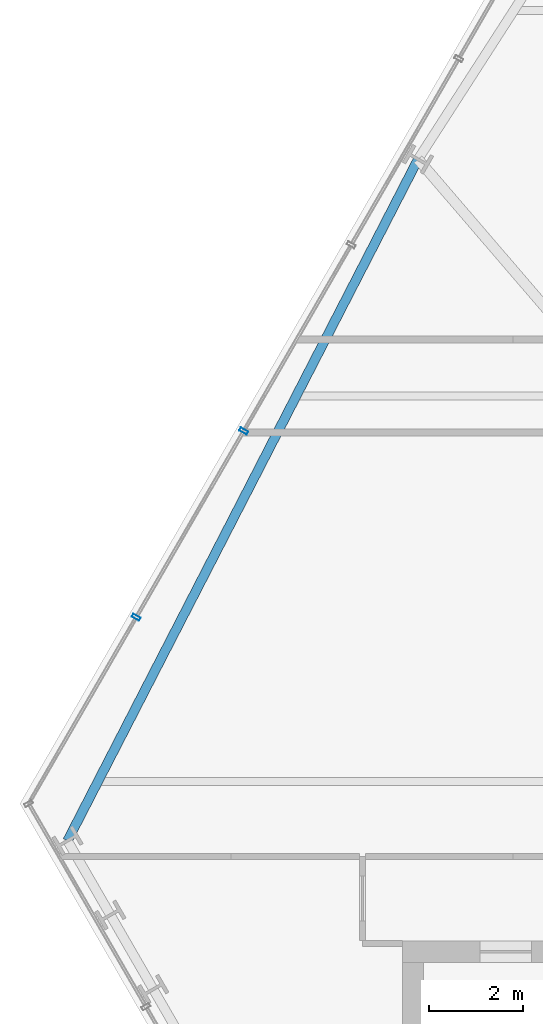
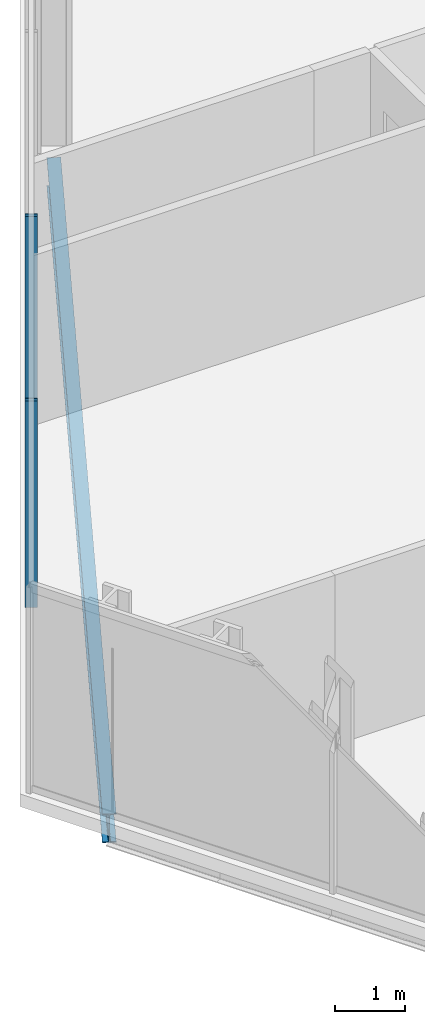
# One storey, part 11 of 32: 2 members, 1 beam, 1 element without a shape of its own.
"""IFC4 building model written with IfcOpenShell, lengths in metres."""

import ifcopenshell
import ifcopenshell.guid

model = None  # the IFC model being written
_history = None  # IfcOwnerHistory: only IFC2X3 demands one
_inside = {}  # id of a spatial element -> (the spatial element, [elements in it])
_under = {}  # id of a project, library or spatial element -> (it, [spatial elements below it])
_declared = {}  # id of a project -> (the project, [libraries it declares])
_typed = {}  # id of a type object -> (the type object, [elements of that type])
_made_of = {}  # id of a material, layer set ... -> (it, [elements and type objects made of it])


def new_model(schema):
    """Start an empty IFC model of exactly this schema.

    Asked for "IFC4X3", IfcOpenShell would pick the latest addendum, in which some entities
    have other attributes; the version numbers below select the first issue.
    IFC2X3 requires an IfcOwnerHistory on every rooted entity: one is made here for all.
    """
    global model, _history
    if schema == "IFC4X3":
        model = ifcopenshell.file(schema_version=(4, 3, 0, 0))
    else:
        model = ifcopenshell.file(schema=schema)
    _inside.clear()
    _under.clear()
    _declared.clear()
    _typed.clear()
    _made_of.clear()
    _history = None
    if model.schema == "IFC2X3":
        org = make("IfcOrganization", Name="unknown")
        user = make(
            "IfcPersonAndOrganization",
            ThePerson=make("IfcPerson", FamilyName="unknown"),
            TheOrganization=org,
        )
        app = make(
            "IfcApplication",
            ApplicationDeveloper=org,
            Version="unknown",
            ApplicationFullName="unknown",
            ApplicationIdentifier="unknown",
        )
        _history = make(
            "IfcOwnerHistory",
            OwningUser=user,
            OwningApplication=app,
            ChangeAction="ADDED",
            CreationDate=0,
        )
    return model


def make(cls, **values):
    """One entity of the class cls with the attributes given. An attribute that is None is left unset."""
    return model.create_entity(
        cls, **{name: value for name, value in values.items() if value is not None}
    )


def rooted(cls, **values):
    """An entity with a GlobalId (a new one), such as an element, a storey or a relation."""
    return make(cls, GlobalId=ifcopenshell.guid.new(), OwnerHistory=_history, **values)


def si_unit(unit_type, name, prefix=None):
    """IfcSIUnit, for example si_unit("LENGTHUNIT", "METRE", prefix="MILLI")."""
    return make("IfcSIUnit", UnitType=unit_type, Prefix=prefix, Name=name)


def assignment(units):
    """IfcUnitAssignment: the units of a project."""
    return None if units is None else make("IfcUnitAssignment", Units=units)


def point(xyz):
    """IfcCartesianPoint."""
    return None if xyz is None else make("IfcCartesianPoint", Coordinates=xyz)


def direction(xyz):
    """IfcDirection."""
    return None if xyz is None else make("IfcDirection", DirectionRatios=xyz)


def frame(location, z_axis=None, x_axis=None):
    """IfcAxis2Placement3D, a coordinate frame: its origin and axes. An axis left out is left unset."""
    return make(
        "IfcAxis2Placement3D",
        Location=point(location),
        Axis=direction(z_axis),
        RefDirection=direction(x_axis),
    )


def frame_2d(location, x_axis=None):
    """IfcAxis2Placement2D, a coordinate frame in the plane: its origin and x axis."""
    return make(
        "IfcAxis2Placement2D", Location=point(location), RefDirection=direction(x_axis)
    )


def origin():
    """The frame at (0, 0, 0) with its axes left unset."""
    return frame((0.0, 0.0, 0.0))


def origin_2d():
    """The frame at (0, 0) in the plane with its x axis left unset."""
    return frame_2d((0.0, 0.0))


def place(relative_to, where):
    """IfcLocalPlacement: puts the frame where relative to a parent placement (None: the world)."""
    return make(
        "IfcLocalPlacement", PlacementRelTo=relative_to, RelativePlacement=where
    )


def context(
    kind, dimensions, precision=None, world=None, true_north=None, identifier=None
):
    """IfcGeometricRepresentationContext, for example the 3D "Model" context."""
    return make(
        "IfcGeometricRepresentationContext",
        ContextIdentifier=identifier,
        ContextType=kind,
        CoordinateSpaceDimension=dimensions,
        Precision=precision,
        WorldCoordinateSystem=world,
        TrueNorth=true_north,
    )


def subcontext(parent, identifier, kind, view, scale=None):
    """IfcGeometricRepresentationSubContext, for example "Body" below "Model"."""
    return make(
        "IfcGeometricRepresentationSubContext",
        ContextIdentifier=identifier,
        ContextType=kind,
        ParentContext=parent,
        TargetScale=scale,
        TargetView=view,
    )


def project(units=None, contexts=None):
    """IfcProject with its units and contexts."""
    return rooted(
        "IfcProject",
        Name="project",
        RepresentationContexts=contexts,
        UnitsInContext=assignment(units),
    )


def spatial(cls, under=None, at=None, **own):
    """A site, building, storey or space (cls), placed at a placement, below another one or the project."""
    s = rooted(cls, ObjectPlacement=at, **own)
    if under is not None:
        _under.setdefault(under.id(), (under, []))[1].append(s)
    return s


def profile(cls, at=None, kind="AREA", **sizes):
    """A parametric profile (cls). Its sizes go by their IFC names, for example OverallWidth=200.0."""
    return make(cls, ProfileType=kind, Position=at, **sizes)


def hollow_rectangle(**sizes):
    """IfcRectangleHollowProfileDef."""
    return profile("IfcRectangleHollowProfileDef", **sizes)


def i_section(**sizes):
    """IfcIShapeProfileDef."""
    return profile("IfcIShapeProfileDef", **sizes)


def extrude(swept, where, along, depth):
    """IfcExtrudedAreaSolid: the profile swept, set in the frame where, extruded along a direction by depth."""
    return make(
        "IfcExtrudedAreaSolid",
        SweptArea=swept,
        Position=where,
        ExtrudedDirection=direction(along),
        Depth=depth,
    )


def shape(context_of_items, identifier, shape_type, items):
    """IfcShapeRepresentation: the items that make up one representation, for example the "Body"."""
    return make(
        "IfcShapeRepresentation",
        ContextOfItems=context_of_items,
        RepresentationIdentifier=identifier,
        RepresentationType=shape_type,
        Items=items,
    )


def material(Name=None, Category=None):
    """IfcMaterial."""
    return make("IfcMaterial", Name=Name, Category=Category)


def layer(
    of_material, thickness, ventilated=None, Name=None, Category=None, Priority=None
):
    """IfcMaterialLayer: one layer of a wall or slab, of a material (None: an air gap)."""
    return make(
        "IfcMaterialLayer",
        Material=of_material,
        LayerThickness=thickness,
        IsVentilated=ventilated,
        Name=Name,
        Category=Category,
        Priority=Priority,
    )


def layer_set(layers, Name=None):
    """IfcMaterialLayerSet."""
    return make("IfcMaterialLayerSet", MaterialLayers=layers, LayerSetName=Name)


def material_profile(
    of_material, cross_section, Name=None, Category=None, Priority=None
):
    """IfcMaterialProfile: a cross section and its material."""
    return make(
        "IfcMaterialProfile",
        Name=Name,
        Material=of_material,
        Profile=cross_section,
        Priority=Priority,
        Category=Category,
    )


def profile_set(profiles, Name=None, composite=None):
    """IfcMaterialProfileSet."""
    return make(
        "IfcMaterialProfileSet",
        Name=Name,
        MaterialProfiles=profiles,
        CompositeProfile=composite,
    )


def made_of(thing, what):
    """Note that an element or type object is made of a material, layer set ...; save() writes the relation."""
    if what is not None:
        _made_of.setdefault(what.id(), (what, []))[1].append(thing)
    return thing


def type_object(cls, material=None, **own):
    """A type object (cls), such as IfcWallType, which elements share."""
    return made_of(rooted(cls, **own), material)


def element(
    cls,
    number,
    at=None,
    inside=None,
    cuts=None,
    type_object=None,
    material=None,
    context=None,
    identifier="Body",
    shape_type=None,
    held_by="IfcProductDefinitionShape",
    body=None,
    shapes=None,
    **own,
):
    """One element of the class cls, such as IfcWall. Its Tag is "e" and its number.

    at: its placement. inside: the storey or other place that contains it. cuts: it is an
    opening in that element (IfcRelVoidsElement). A single representation is given by context,
    identifier, shape_type and body (its items); several are given by shapes. held_by: the class
    of the entity that holds the representations. save() writes the other relations.
    """
    e = rooted(cls, Tag="e%d" % number, ObjectPlacement=at, **own)
    if body is not None:
        shapes = [shape(context, identifier, shape_type, body)]
    if shapes is not None:
        e.Representation = make(held_by, Representations=shapes)
    if inside is not None:
        _inside.setdefault(inside.id(), (inside, []))[1].append(e)
    if cuts is not None:
        rooted(
            "IfcRelVoidsElement", RelatingBuildingElement=cuts, RelatedOpeningElement=e
        )
    if type_object is not None:
        _typed.setdefault(type_object.id(), (type_object, []))[1].append(e)
    return made_of(e, material)


def aggregate(whole, parts):
    """IfcRelAggregates: a whole, such as a stair, and the parts it consists of."""
    return rooted("IfcRelAggregates", RelatingObject=whole, RelatedObjects=parts)


def save(model, path):
    """Write the relations noted so far, then the file.

    IfcRelAggregates (storeys below a building ...), IfcRelContainedInSpatialStructure (elements
    in a storey), IfcRelDefinesByType, IfcRelAssociatesMaterial and IfcRelDeclares: one each for
    every whole, place, type object, material and project.
    """
    for whole, parts in _under.values():
        aggregate(whole, parts)
    for where, things in _inside.values():
        rooted(
            "IfcRelContainedInSpatialStructure",
            RelatedElements=things,
            RelatingStructure=where,
        )
    for kind, things in _typed.values():
        rooted("IfcRelDefinesByType", RelatedObjects=things, RelatingType=kind)
    for what, things in _made_of.values():
        rooted("IfcRelAssociatesMaterial", RelatedObjects=things, RelatingMaterial=what)
    for by, libraries in _declared.values():
        rooted("IfcRelDeclares", RelatingContext=by, RelatedDefinitions=libraries)
    model.write(path)


model = new_model("IFC4")

# Units and contexts
model_context = context("Model", 3, precision=1e-05, world=origin(), true_north=direction((0.0, 1.0)))
body_context = subcontext(model_context, "Body", "Model", "MODEL_VIEW")
ifc_project = project(units=[si_unit("LENGTHUNIT", "METRE"), si_unit("AREAUNIT", "SQUARE_METRE"), si_unit("VOLUMEUNIT", "CUBIC_METRE"), si_unit("PLANEANGLEUNIT", "RADIAN"), si_unit("MASSUNIT", "GRAM", prefix="KILO")], contexts=[model_context])

# Site, building, storey
site_placement = place(None, origin())
site = spatial("IfcSite", under=ifc_project, at=site_placement, CompositionType="ELEMENT")
building_placement = place(site_placement, origin())
building = spatial("IfcBuilding", under=site, at=building_placement, Name="Ndaravel Arena Tower", CompositionType="ELEMENT")
storey_placement = place(building_placement, frame((0.0, 0.0, 74.0)))
storey = spatial("IfcBuildingStorey", under=building, at=storey_placement, Name="L16", CompositionType="ELEMENT", Elevation=74.0)

# Beam
ifc_material_1 = material(Name="Steel S355", Category="steel")
ifc_material_profile_1 = material_profile(ifc_material_1, i_section(OverallWidth=0.199951171875, OverallDepth=0.5, WebThickness=0.01025390625, FlangeThickness=0.01611328125, FilletRadius=0.02099609375, at=origin_2d()), Name="IPE 500")
ifc_profile_set_1 = profile_set([ifc_material_profile_1], Name="Steel S355")
beam_type = type_object("IfcBeamType", Name="BM-SPAN-IPE500", PredefinedType="SPANDREL", material=ifc_profile_set_1)
beam_placement = place(storey_placement, frame((26.783203125, 31.836181640625, -0.469970703125), z_axis=(-0.457437664156, -0.8892416901, 0.0), x_axis=(0.8892416901, -0.457437664156, 0.0)))
element("IfcBeam", 1, at=beam_placement, inside=storey, type_object=beam_type, Name="L16 Perimeter Spandrel Beam SP-19", PredefinedType="SPANDREL", context=body_context, shape_type="SweptSolid", body=[
    extrude(i_section(OverallWidth=0.199951171875, OverallDepth=0.5, WebThickness=0.01025390625, FlangeThickness=0.01611328125, FilletRadius=0.02099609375, at=origin_2d()), origin(), (0.0, 0.0, 1.0), 16.305419921875),
])

# Curtain wall, members
ifc_material_2 = material(Name="Aluminium", Category="aluminium")
ifc_layer = layer(ifc_material_2, 0.179931640625)
ifc_layer_set = layer_set([ifc_layer], Name="Aluminium")
curtain_wall_type = type_object("IfcCurtainWallType", Name="CW-SYS-03", PredefinedType="NOTDEFINED", material=ifc_layer_set)
curtain_wall_placement = place(storey_placement, origin())
curtain_wall = element("IfcCurtainWall", 2, at=curtain_wall_placement, inside=storey, type_object=curtain_wall_type, Name="L16 Faceted Crystal Curtain Wall CW-L16-E05", PredefinedType="NOTDEFINED")
ifc_material_3 = material(Name="Aluminium", Category="aluminium")
ifc_material_profile_2 = material_profile(ifc_material_3, hollow_rectangle(XDim=0.074951171875, YDim=0.179931640625, WallThickness=0.00390625, at=origin_2d()), Name="CW MULLION 75x180x4")
ifc_profile_set_2 = profile_set([ifc_material_profile_2], Name="Aluminium")
member_type = type_object("IfcMemberType", Name="MEM-CW-MUL180", PredefinedType="MULLION", material=ifc_profile_set_2)
member_1_placement = place(storey_placement, frame((23.07421875, 26.052490234375, 0.0), z_axis=(0.0, 0.0, 1.0), x_axis=(-0.5, -0.866025403784, 0.0)))
member_1 = element("IfcMember", 3, at=member_1_placement, type_object=member_type, Name="CW-L16-E05 Mullion 05", PredefinedType="MULLION", context=body_context, shape_type="SweptSolid", body=[
    extrude(hollow_rectangle(XDim=0.074951171875, YDim=0.179931640625, WallThickness=0.00390625, at=origin_2d()), origin(), (0.0, 0.0, 1.0), 3.580078125),
])
member_2_placement = place(storey_placement, frame((20.786376953125, 22.089599609375, 0.0), z_axis=(0.0, 0.0, 1.0), x_axis=(-0.5, -0.866025403784, 0.0)))
member_2 = element("IfcMember", 4, at=member_2_placement, type_object=member_type, Name="CW-L16-E05 Mullion 06", PredefinedType="MULLION", context=body_context, shape_type="SweptSolid", body=[
    extrude(hollow_rectangle(XDim=0.074951171875, YDim=0.179931640625, WallThickness=0.00390625, at=origin_2d()), origin(), (0.0, 0.0, 1.0), 3.580078125),
])
aggregate(curtain_wall, [member_1, member_2])

save(model, "model.ifc")
